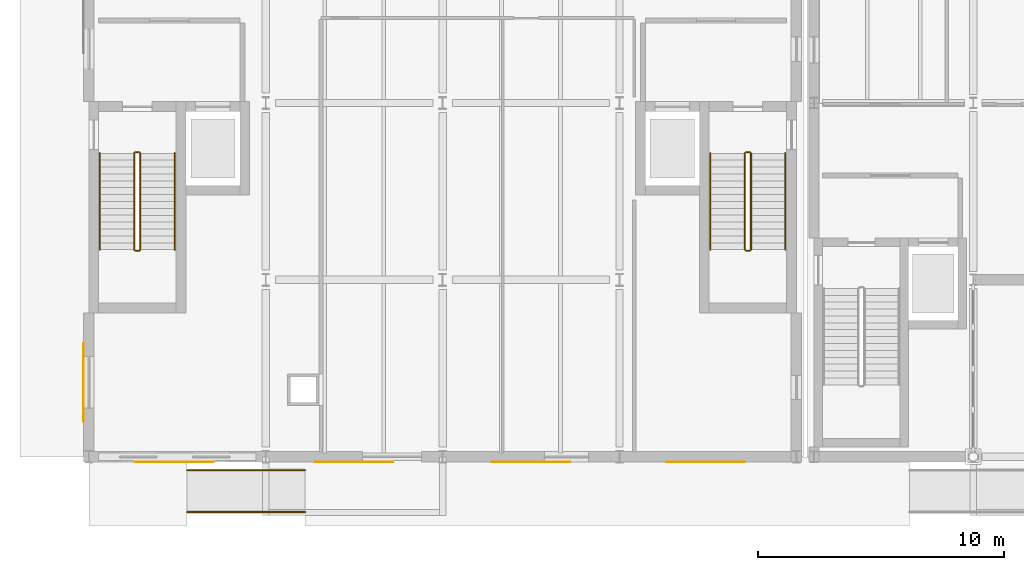
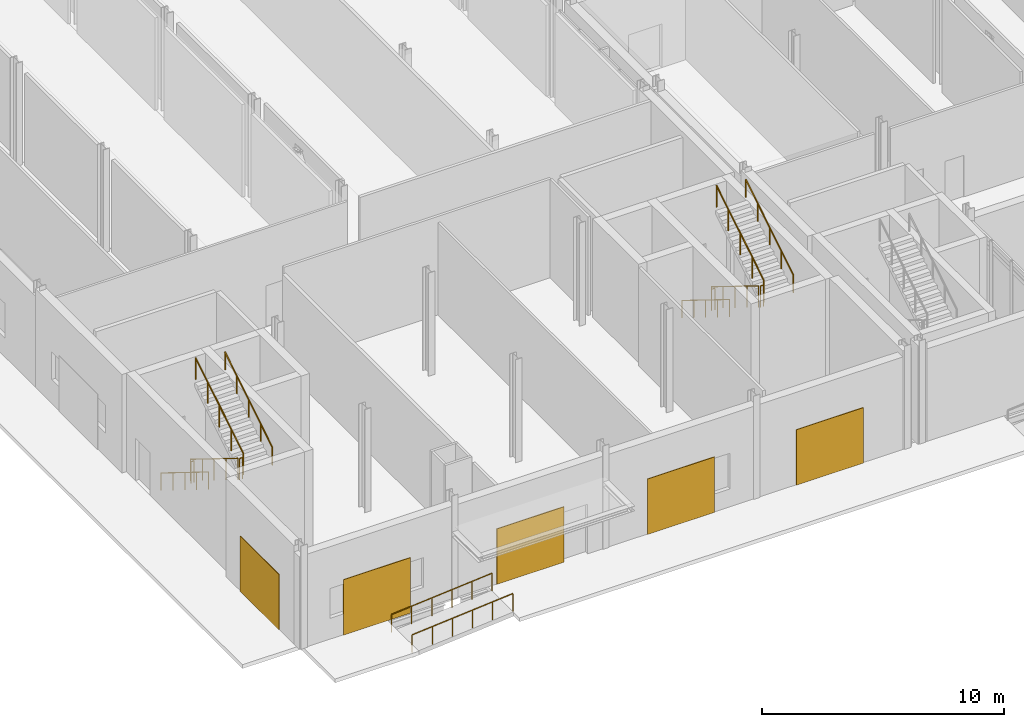
# One storey, part 74 of 89: 14 railings, 5 coverings.
"""IFC4 building model written with IfcOpenShell, lengths in metres."""

from ifc_helpers import new_model, si_unit, direction, frame, origin, origin_2d, place, context, subcontext, project, spatial, rectangle, circle, extrude, material, layer, layer_set, type_object, element, save


model = new_model("IFC4")

# Units and contexts
model_context = context("Model", 3, precision=1e-05, world=origin(), true_north=direction((0.0, 1.0)))
body_context = subcontext(model_context, "Body", "Model", "MODEL_VIEW")
ifc_project = project(units=[si_unit("LENGTHUNIT", "METRE"), si_unit("AREAUNIT", "SQUARE_METRE"), si_unit("VOLUMEUNIT", "CUBIC_METRE"), si_unit("PLANEANGLEUNIT", "RADIAN"), si_unit("MASSUNIT", "GRAM", prefix="KILO")], contexts=[model_context])

# Site, building, storey
site_placement = place(None, origin())
site = spatial("IfcSite", under=ifc_project, at=site_placement, CompositionType="ELEMENT")
building_placement = place(site_placement, origin())
building = spatial("IfcBuilding", under=site, at=building_placement, Name="Zarrinpeak Specialist Clinic", CompositionType="ELEMENT")
storey_placement = place(building_placement, origin())
storey = spatial("IfcBuildingStorey", under=building, at=storey_placement, Name="L00", CompositionType="ELEMENT", Elevation=0.0)

# Coverings
ifc_material_1 = material(Name="Glulam GL28h", Category="wood")
ifc_layer_1 = layer(ifc_material_1, 0.034912109375)
ifc_layer_set_1 = layer_set([ifc_layer_1], Name="Glulam GL28h")
covering_type = type_object("IfcCoveringType", Name="CV-CLD-GL", PredefinedType="CLADDING", material=ifc_layer_set_1)
for number, where, z_axis, x_axis, name in (
    (1, (3.4951171875, -0.215576171875, -0.01025390625), (0.0, 0.0, 1.0), (1.0, 0.0, 0.0), "L00 V1 Courtyard Cedar-Glulam Cladding Panel CV-CLD-01"),
    (2, (10.800048828125, -0.215576171875, -0.01025390625), (0.0, 0.0, 1.0), (1.0, 0.0, 0.0), "L00 V1 Courtyard Cedar-Glulam Cladding Panel CV-CLD-02"),
    (3, (18.0, -0.215576171875, -0.01025390625), (0.0, 0.0, 1.0), (1.0, 0.0, 0.0), "L00 V1 Courtyard Cedar-Glulam Cladding Panel CV-CLD-03"),
    (4, (25.094970703125, -0.215576171875, -0.01025390625), (0.0, 0.0, 1.0), (1.0, 0.0, 0.0), "L00 V1 Courtyard Cedar-Glulam Cladding Panel CV-CLD-04"),
):
    element("IfcCovering", number, at=place(storey_placement, frame(where, z_axis=z_axis, x_axis=x_axis)), inside=storey, type_object=covering_type, Name=name, PredefinedType="CLADDING", context=body_context, shape_type="SweptSolid", body=[
        extrude(rectangle(XDim=3.199951171875, YDim=0.034912109375, at=origin_2d()), origin(), (0.0, 0.0, 1.0), 2.800048828125),
    ])
covering_placement = place(storey_placement, frame((-0.215576171875, 3.030029296875, -0.01025390625), z_axis=(0.0, 0.0, 1.0), x_axis=(1.0, 0.0, 0.0)))
element("IfcCovering", 5, at=covering_placement, inside=storey, type_object=covering_type, Name="L00 V1 Courtyard Cedar-Glulam Cladding Panel CV-CLD-07", PredefinedType="CLADDING", context=body_context, shape_type="SweptSolid", body=[
    extrude(rectangle(XDim=0.034912109375, YDim=3.199951171875, at=origin_2d()), origin(), (0.0, 0.0, 1.0), 2.800048828125),
])

# Railings
ifc_material_2 = material(Name="Laminated Safety Glass and Stainless Steel 316", Category="steel")
ifc_layer_2 = layer(ifc_material_2, 0.06005859375)
ifc_layer_set_2 = layer_set([ifc_layer_2], Name="Laminated Safety Glass and Stainless Steel 316")
railing_type_1 = type_object("IfcRailingType", Name="RL-GRD115", PredefinedType="GUARDRAIL", material=ifc_layer_set_2)
railing_1_placement = place(storey_placement, frame((1.85009765625, 12.35009765625, 0.17333984375)))
element("IfcRailing", 6, at=railing_1_placement, inside=storey, type_object=railing_type_1, Name="L00 ST-01 stair guard 1", PredefinedType="GUARDRAIL", context=body_context, shape_type="SweptSolid", body=[
    extrude(circle(Radius=0.02392578125, at=origin_2d()), frame((0.0, 0.0, 1.076171875), z_axis=(0.0, -0.850266275192, 0.526352791643), x_axis=(1.0, 0.0, 0.0)), (0.0, 0.0, 1.0), 4.610595703125),
    extrude(circle(Radius=0.02099609375, at=origin_2d()), origin(), (0.0, 0.0, 1.0), 1.052001953125),
    extrude(circle(Radius=0.02099609375, at=origin_2d()), frame((0.0, -0.97998046875, 0.606689453125)), (0.0, 0.0, 1.0), 1.052001953125),
    extrude(circle(Radius=0.02099609375, at=origin_2d()), frame((0.0, -1.9599609375, 1.21337890625)), (0.0, 0.0, 1.0), 1.052001953125),
    extrude(circle(Radius=0.02099609375, at=origin_2d()), frame((0.0, -2.940185546875, 1.820068359375)), (0.0, 0.0, 1.0), 1.052001953125),
    extrude(circle(Radius=0.02099609375, at=origin_2d()), frame((0.0, -3.920166015625, 2.4267578125)), (0.0, 0.0, 1.0), 1.052001953125),
])
railing_2_placement = place(storey_placement, frame((1.89990234375, 8.3798828125, 2.60009765625)))
element("IfcRailing", 7, at=railing_2_placement, inside=storey, type_object=railing_type_1, Name="L00 ST-01 stair guard 2", PredefinedType="GUARDRAIL", context=body_context, shape_type="SweptSolid", body=[
    extrude(circle(Radius=0.02392578125, at=origin_2d()), frame((0.0, 0.0, 1.076171875), z_axis=(1.0, 0.0, 0.0), x_axis=(0.0, 1.0, 0.0)), (0.0, 0.0, 1.0), 0.150146484375),
    extrude(circle(Radius=0.02099609375, at=origin_2d()), origin(), (0.0, 0.0, 1.0), 1.052001953125),
    extrude(circle(Radius=0.02099609375, at=origin_2d()), frame((0.150146484375, 0.0, 0.0)), (0.0, 0.0, 1.0), 1.052001953125),
])
railing_3_placement = place(storey_placement, frame((2.10009765625, 8.429931640625, 2.7734375)))
element("IfcRailing", 8, at=railing_3_placement, inside=storey, type_object=railing_type_1, Name="L00 ST-01 stair guard 3", PredefinedType="GUARDRAIL", context=body_context, shape_type="SweptSolid", body=[
    extrude(circle(Radius=0.02392578125, at=origin_2d()), frame((0.0, 0.0, 1.076171875), z_axis=(0.0, 0.850289973577, 0.526314507528), x_axis=(-1.0, 0.0, 0.0)), (0.0, 0.0, 1.0), 4.6103515625),
    extrude(circle(Radius=0.02099609375, at=origin_2d()), origin(), (0.0, 0.0, 1.0), 1.052001953125),
    extrude(circle(Radius=0.02099609375, at=origin_2d()), frame((0.0, 0.97998046875, 0.606689453125)), (0.0, 0.0, 1.0), 1.052001953125),
    extrude(circle(Radius=0.02099609375, at=origin_2d()), frame((0.0, 1.9599609375, 1.21337890625)), (0.0, 0.0, 1.0), 1.052001953125),
    extrude(circle(Radius=0.02099609375, at=origin_2d()), frame((0.0, 2.940185546875, 1.81982421875)), (0.0, 0.0, 1.0), 1.052001953125),
    extrude(circle(Radius=0.02099609375, at=origin_2d()), frame((0.0, 3.920166015625, 2.426513671875)), (0.0, 0.0, 1.0), 1.052001953125),
])
railing_4_placement = place(storey_placement, frame((1.89990234375, 12.39990234375, 0.0)))
element("IfcRailing", 9, at=railing_4_placement, inside=storey, type_object=railing_type_1, Name="L00 ST-01 stair guard 4", PredefinedType="GUARDRAIL", context=body_context, shape_type="SweptSolid", body=[
    extrude(circle(Radius=0.02392578125, at=origin_2d()), frame((0.0, 0.0, 1.076171875), z_axis=(1.0, 0.0, 0.0), x_axis=(0.0, 1.0, 0.0)), (0.0, 0.0, 1.0), 0.150146484375),
    extrude(circle(Radius=0.02099609375, at=origin_2d()), origin(), (0.0, 0.0, 1.0), 1.052001953125),
    extrude(circle(Radius=0.02099609375, at=origin_2d()), frame((0.150146484375, 0.0, 0.0)), (0.0, 0.0, 1.0), 1.052001953125),
])
railing_5_placement = place(storey_placement, frame((26.699951171875, 12.35009765625, 0.17333984375)))
element("IfcRailing", 10, at=railing_5_placement, inside=storey, type_object=railing_type_1, Name="L00 ST-02 stair guard 1", PredefinedType="GUARDRAIL", context=body_context, shape_type="SweptSolid", body=[
    extrude(circle(Radius=0.02392578125, at=origin_2d()), frame((0.0, 0.0, 1.076171875), z_axis=(0.0, -0.850266275192, 0.526352791643), x_axis=(1.0, 0.0, 0.0)), (0.0, 0.0, 1.0), 4.610595703125),
    extrude(circle(Radius=0.02099609375, at=origin_2d()), origin(), (0.0, 0.0, 1.0), 1.052001953125),
    extrude(circle(Radius=0.02099609375, at=origin_2d()), frame((0.0, -0.97998046875, 0.606689453125)), (0.0, 0.0, 1.0), 1.052001953125),
    extrude(circle(Radius=0.02099609375, at=origin_2d()), frame((0.0, -1.9599609375, 1.21337890625)), (0.0, 0.0, 1.0), 1.052001953125),
    extrude(circle(Radius=0.02099609375, at=origin_2d()), frame((0.0, -2.940185546875, 1.820068359375)), (0.0, 0.0, 1.0), 1.052001953125),
    extrude(circle(Radius=0.02099609375, at=origin_2d()), frame((0.0, -3.920166015625, 2.4267578125)), (0.0, 0.0, 1.0), 1.052001953125),
])
railing_6_placement = place(storey_placement, frame((26.75, 8.3798828125, 2.60009765625)))
element("IfcRailing", 11, at=railing_6_placement, inside=storey, type_object=railing_type_1, Name="L00 ST-02 stair guard 2", PredefinedType="GUARDRAIL", context=body_context, shape_type="SweptSolid", body=[
    extrude(circle(Radius=0.02392578125, at=origin_2d()), frame((0.0, 0.0, 1.076171875), z_axis=(1.0, 0.0, 0.0), x_axis=(0.0, 1.0, 0.0)), (0.0, 0.0, 1.0), 0.14990234375),
    extrude(circle(Radius=0.02099609375, at=origin_2d()), origin(), (0.0, 0.0, 1.0), 1.052001953125),
    extrude(circle(Radius=0.02099609375, at=origin_2d()), frame((0.14990234375, 0.0, 0.0)), (0.0, 0.0, 1.0), 1.052001953125),
])
railing_7_placement = place(storey_placement, frame((26.949951171875, 8.429931640625, 2.7734375)))
element("IfcRailing", 12, at=railing_7_placement, inside=storey, type_object=railing_type_1, Name="L00 ST-02 stair guard 3", PredefinedType="GUARDRAIL", context=body_context, shape_type="SweptSolid", body=[
    extrude(circle(Radius=0.02392578125, at=origin_2d()), frame((0.0, 0.0, 1.076171875), z_axis=(0.0, 0.850289973577, 0.526314507528), x_axis=(-1.0, 0.0, 0.0)), (0.0, 0.0, 1.0), 4.6103515625),
    extrude(circle(Radius=0.02099609375, at=origin_2d()), origin(), (0.0, 0.0, 1.0), 1.052001953125),
    extrude(circle(Radius=0.02099609375, at=origin_2d()), frame((0.0, 0.97998046875, 0.606689453125)), (0.0, 0.0, 1.0), 1.052001953125),
    extrude(circle(Radius=0.02099609375, at=origin_2d()), frame((0.0, 1.9599609375, 1.21337890625)), (0.0, 0.0, 1.0), 1.052001953125),
    extrude(circle(Radius=0.02099609375, at=origin_2d()), frame((0.0, 2.940185546875, 1.81982421875)), (0.0, 0.0, 1.0), 1.052001953125),
    extrude(circle(Radius=0.02099609375, at=origin_2d()), frame((0.0, 3.920166015625, 2.426513671875)), (0.0, 0.0, 1.0), 1.052001953125),
])
railing_8_placement = place(storey_placement, frame((26.75, 12.39990234375, 0.0)))
element("IfcRailing", 13, at=railing_8_placement, inside=storey, type_object=railing_type_1, Name="L00 ST-02 stair guard 4", PredefinedType="GUARDRAIL", context=body_context, shape_type="SweptSolid", body=[
    extrude(circle(Radius=0.02392578125, at=origin_2d()), frame((0.0, 0.0, 1.076171875), z_axis=(1.0, 0.0, 0.0), x_axis=(0.0, 1.0, 0.0)), (0.0, 0.0, 1.0), 0.14990234375),
    extrude(circle(Radius=0.02099609375, at=origin_2d()), origin(), (0.0, 0.0, 1.0), 1.052001953125),
    extrude(circle(Radius=0.02099609375, at=origin_2d()), frame((0.14990234375, 0.0, 0.0)), (0.0, 0.0, 1.0), 1.052001953125),
])
ifc_material_3 = material(Name="Brushed Stainless Steel 316 Handrail", Category="steel")
ifc_layer_3 = layer(ifc_material_3, 0.050048828125)
ifc_layer_set_3 = layer_set([ifc_layer_3], Name="Brushed Stainless Steel 316 Handrail")
railing_type_2 = type_object("IfcRailingType", Name="RL-HND92", PredefinedType="HANDRAIL", material=ifc_layer_set_3)
for number, where, name in (
    (14, (4.0, -0.550048828125, -0.39990234375), "Accessible Ramp Handrail R-ACC1-L"),
    (15, (4.0, -2.25, -0.39990234375), "Accessible Ramp Handrail R-ACC1-R"),
):
    element("IfcRailing", number, at=place(storey_placement, frame(where)), inside=storey, type_object=railing_type_2, Name=name, PredefinedType="HANDRAIL", context=body_context, shape_type="SweptSolid", body=[
        extrude(circle(Radius=0.02392578125, at=origin_2d()), frame((0.0, 0.0, 0.89599609375), z_axis=(0.996547505835, 0.0, 0.083024506106), x_axis=(0.0, 1.0, 0.0)), (0.0, 0.0, 1.0), 4.816650390625),
        extrude(circle(Radius=0.02099609375, at=origin_2d()), origin(), (0.0, 0.0, 1.0), 0.871826171875),
        extrude(circle(Radius=0.02099609375, at=origin_2d()), frame((0.9599609375, 0.0, 0.080078125)), (0.0, 0.0, 1.0), 0.871826171875),
        extrude(circle(Radius=0.02099609375, at=origin_2d()), frame((1.919921875, 0.0, 0.159912109375)), (0.0, 0.0, 1.0), 0.871826171875),
        extrude(circle(Radius=0.02099609375, at=origin_2d()), frame((2.880126953125, 0.0, 0.239990234375)), (0.0, 0.0, 1.0), 0.871826171875),
        extrude(circle(Radius=0.02099609375, at=origin_2d()), frame((3.840087890625, 0.0, 0.31982421875)), (0.0, 0.0, 1.0), 0.871826171875),
        extrude(circle(Radius=0.02099609375, at=origin_2d()), frame((4.800048828125, 0.0, 0.39990234375)), (0.0, 0.0, 1.0), 0.871826171875),
    ])
railing_9_placement = place(storey_placement, frame((0.449951171875, 12.35009765625, 0.17333984375)))
element("IfcRailing", 16, at=railing_9_placement, inside=storey, type_object=railing_type_2, Name="L00 ST-01 stair handrail 1", PredefinedType="HANDRAIL", context=body_context, shape_type="SweptSolid", body=[
    extrude(circle(Radius=0.02392578125, at=origin_2d()), frame((0.0, 0.0, 0.8759765625), z_axis=(0.0, -0.850266275192, 0.526352791643), x_axis=(1.0, 0.0, 0.0)), (0.0, 0.0, 1.0), 4.610595703125),
    extrude(circle(Radius=0.02099609375, at=origin_2d()), origin(), (0.0, 0.0, 1.0), 0.851806640625),
    extrude(circle(Radius=0.02099609375, at=origin_2d()), frame((0.0, -0.97998046875, 0.606689453125)), (0.0, 0.0, 1.0), 0.851806640625),
    extrude(circle(Radius=0.02099609375, at=origin_2d()), frame((0.0, -1.9599609375, 1.21337890625)), (0.0, 0.0, 1.0), 0.851806640625),
    extrude(circle(Radius=0.02099609375, at=origin_2d()), frame((0.0, -2.940185546875, 1.820068359375)), (0.0, 0.0, 1.0), 0.851806640625),
    extrude(circle(Radius=0.02099609375, at=origin_2d()), frame((0.0, -3.920166015625, 2.4267578125)), (0.0, 0.0, 1.0), 0.851806640625),
])
railing_10_placement = place(storey_placement, frame((3.5, 8.429931640625, 2.7734375)))
element("IfcRailing", 17, at=railing_10_placement, inside=storey, type_object=railing_type_2, Name="L00 ST-01 stair handrail 2", PredefinedType="HANDRAIL", context=body_context, shape_type="SweptSolid", body=[
    extrude(circle(Radius=0.02392578125, at=origin_2d()), frame((0.0, 0.0, 0.8759765625), z_axis=(0.0, 0.850289973577, 0.526314507528), x_axis=(-1.0, 0.0, 0.0)), (0.0, 0.0, 1.0), 4.6103515625),
    extrude(circle(Radius=0.02099609375, at=origin_2d()), origin(), (0.0, 0.0, 1.0), 0.851806640625),
    extrude(circle(Radius=0.02099609375, at=origin_2d()), frame((0.0, 0.97998046875, 0.606689453125)), (0.0, 0.0, 1.0), 0.851806640625),
    extrude(circle(Radius=0.02099609375, at=origin_2d()), frame((0.0, 1.9599609375, 1.21337890625)), (0.0, 0.0, 1.0), 0.851806640625),
    extrude(circle(Radius=0.02099609375, at=origin_2d()), frame((0.0, 2.940185546875, 1.81982421875)), (0.0, 0.0, 1.0), 0.851806640625),
    extrude(circle(Radius=0.02099609375, at=origin_2d()), frame((0.0, 3.920166015625, 2.426513671875)), (0.0, 0.0, 1.0), 0.851806640625),
])
railing_11_placement = place(storey_placement, frame((25.300048828125, 12.35009765625, 0.17333984375)))
element("IfcRailing", 18, at=railing_11_placement, inside=storey, type_object=railing_type_2, Name="L00 ST-02 stair handrail 1", PredefinedType="HANDRAIL", context=body_context, shape_type="SweptSolid", body=[
    extrude(circle(Radius=0.02392578125, at=origin_2d()), frame((0.0, 0.0, 0.8759765625), z_axis=(0.0, -0.850266275192, 0.526352791643), x_axis=(1.0, 0.0, 0.0)), (0.0, 0.0, 1.0), 4.610595703125),
    extrude(circle(Radius=0.02099609375, at=origin_2d()), origin(), (0.0, 0.0, 1.0), 0.851806640625),
    extrude(circle(Radius=0.02099609375, at=origin_2d()), frame((0.0, -0.97998046875, 0.606689453125)), (0.0, 0.0, 1.0), 0.851806640625),
    extrude(circle(Radius=0.02099609375, at=origin_2d()), frame((0.0, -1.9599609375, 1.21337890625)), (0.0, 0.0, 1.0), 0.851806640625),
    extrude(circle(Radius=0.02099609375, at=origin_2d()), frame((0.0, -2.940185546875, 1.820068359375)), (0.0, 0.0, 1.0), 0.851806640625),
    extrude(circle(Radius=0.02099609375, at=origin_2d()), frame((0.0, -3.920166015625, 2.4267578125)), (0.0, 0.0, 1.0), 0.851806640625),
])
railing_12_placement = place(storey_placement, frame((28.35009765625, 8.429931640625, 2.7734375)))
element("IfcRailing", 19, at=railing_12_placement, inside=storey, type_object=railing_type_2, Name="L00 ST-02 stair handrail 2", PredefinedType="HANDRAIL", context=body_context, shape_type="SweptSolid", body=[
    extrude(circle(Radius=0.02392578125, at=origin_2d()), frame((0.0, 0.0, 0.8759765625), z_axis=(0.0, 0.850289973577, 0.526314507528), x_axis=(-1.0, 0.0, 0.0)), (0.0, 0.0, 1.0), 4.6103515625),
    extrude(circle(Radius=0.02099609375, at=origin_2d()), origin(), (0.0, 0.0, 1.0), 0.851806640625),
    extrude(circle(Radius=0.02099609375, at=origin_2d()), frame((0.0, 0.97998046875, 0.606689453125)), (0.0, 0.0, 1.0), 0.851806640625),
    extrude(circle(Radius=0.02099609375, at=origin_2d()), frame((0.0, 1.9599609375, 1.21337890625)), (0.0, 0.0, 1.0), 0.851806640625),
    extrude(circle(Radius=0.02099609375, at=origin_2d()), frame((0.0, 2.940185546875, 1.81982421875)), (0.0, 0.0, 1.0), 0.851806640625),
    extrude(circle(Radius=0.02099609375, at=origin_2d()), frame((0.0, 3.920166015625, 2.426513671875)), (0.0, 0.0, 1.0), 0.851806640625),
])

save(model, "model.ifc")
